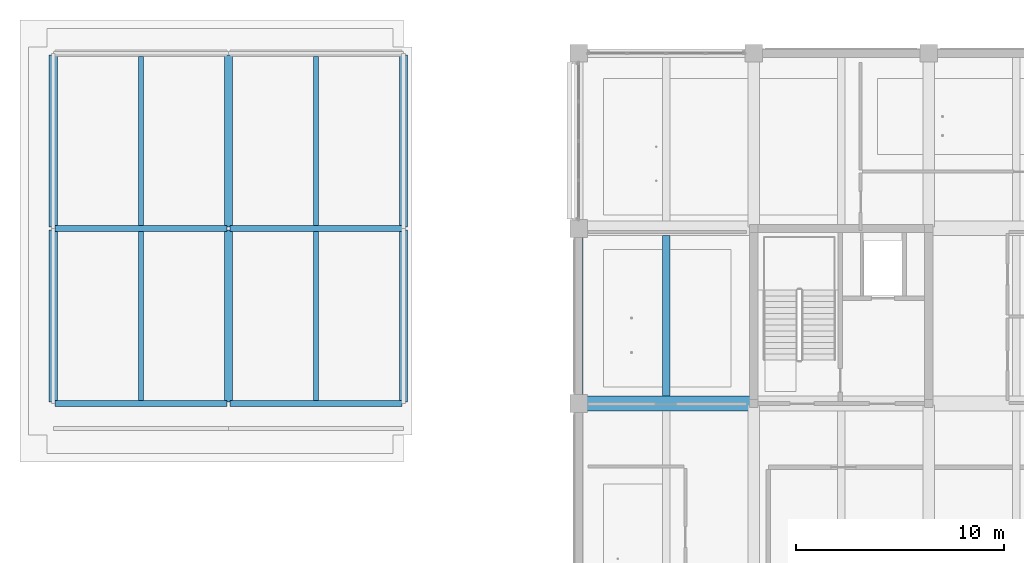
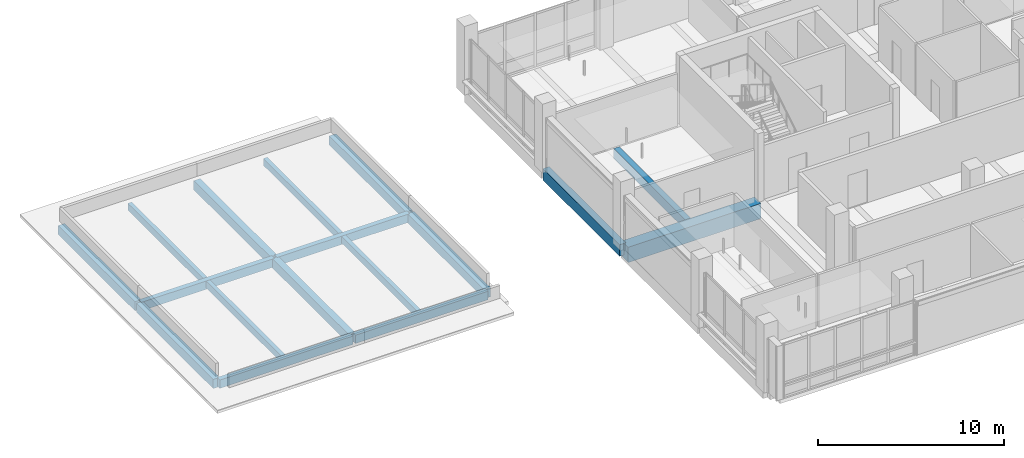
# One storey, part 3 of 39: 17 beams.
"""IFC4 building model written with IfcOpenShell, lengths in metres."""

from ifc_helpers import new_model, si_unit, direction, frame, origin, origin_2d, place, context, subcontext, project, spatial, rectangle, extrude, material, material_profile, profile_set, type_object, element, save


model = new_model("IFC4")

# Units and contexts
model_context = context("Model", 3, precision=1e-05, world=origin(), true_north=direction((0.0, 1.0)))
body_context = subcontext(model_context, "Body", "Model", "MODEL_VIEW")
ifc_project = project(units=[si_unit("LENGTHUNIT", "METRE"), si_unit("AREAUNIT", "SQUARE_METRE"), si_unit("VOLUMEUNIT", "CUBIC_METRE"), si_unit("PLANEANGLEUNIT", "RADIAN"), si_unit("MASSUNIT", "GRAM", prefix="KILO")], contexts=[model_context])

# Site, building, storey
site_placement = place(None, origin())
site = spatial("IfcSite", under=ifc_project, at=site_placement, CompositionType="ELEMENT")
building_placement = place(site_placement, origin())
building = spatial("IfcBuilding", under=site, at=building_placement, Name="Telukmera Botanical Conservatory", CompositionType="ELEMENT")
storey_placement = place(building_placement, frame((0.0, 0.0, 19.5)))
storey = spatial("IfcBuildingStorey", under=building, at=storey_placement, Name="L04", CompositionType="ELEMENT", Elevation=19.5)

# Beams
ifc_material_1 = material(Name="Concrete C50/60", Category="concrete")
ifc_material_profile_1 = material_profile(ifc_material_1, rectangle(XDim=0.699951171875, YDim=1.0, at=origin_2d()), Name="RC 700x1000")
ifc_profile_set_1 = profile_set([ifc_material_profile_1], Name="Concrete C50/60")
beam_type_1 = type_object("IfcBeamType", Name="Beam_B1", PredefinedType="BEAM", material=ifc_profile_set_1)
beam_1_placement = place(storey_placement, frame((50.47998046875, 26.0, -0.5), z_axis=(1.0, 0.0, 0.0), x_axis=(0.0, 1.0, 0.0)))
element("IfcBeam", 1, at=beam_1_placement, inside=storey, type_object=beam_type_1, Name="Tower Grid Beam L04", PredefinedType="BEAM", context=body_context, shape_type="SweptSolid", body=[
    extrude(rectangle(XDim=0.699951171875, YDim=1.0, at=origin_2d()), origin(), (0.0, 0.0, 1.0), 8.239990234375),
])
ifc_material_2 = material(Name="Concrete C40/50", Category="concrete")
ifc_material_profile_2 = material_profile(ifc_material_2, rectangle(XDim=0.300048828125, YDim=0.550048828125, at=origin_2d()), Name="RC 300x550")
ifc_profile_set_2 = profile_set([ifc_material_profile_2], Name="Concrete C40/50")
beam_type_2 = type_object("IfcBeamType", Name="Beam_B10", PredefinedType="BEAM", material=ifc_profile_set_2)
for number, where, z_axis, x_axis, name in (
    (2, (25.280029296875, 26.0, -0.27490234375), (1.0, 0.0, 0.0), (0.0, 1.0, 0.0), "Visitor Wing Grid Beam L04"),
    (3, (33.679931640625, 26.0, -0.27490234375), (1.0, 0.0, 0.0), (0.0, 1.0, 0.0), "Visitor Wing Grid Beam L04"),
    (4, (25.280029296875, 34.39990234375, -0.27490234375), (1.0, 0.0, 0.0), (0.0, 1.0, 0.0), "Visitor Wing Grid Beam L04"),
    (5, (33.679931640625, 34.39990234375, -0.27490234375), (1.0, 0.0, 0.0), (0.0, 1.0, 0.0), "Visitor Wing Grid Beam L04"),
):
    element("IfcBeam", number, at=place(storey_placement, frame(where, z_axis=z_axis, x_axis=x_axis)), inside=storey, type_object=beam_type_2, Name=name, PredefinedType="BEAM", context=body_context, shape_type="SweptSolid", body=[
        extrude(rectangle(XDim=0.300048828125, YDim=0.550048828125, at=origin_2d()), origin(), (0.0, 0.0, 1.0), 8.239990234375),
    ])
ifc_material_profile_3 = material_profile(ifc_material_2, rectangle(XDim=0.39990234375, YDim=0.60009765625, at=origin_2d()), Name="RC 400x600")
ifc_profile_set_3 = profile_set([ifc_material_profile_3], Name="Concrete C40/50")
beam_type_3 = type_object("IfcBeamType", Name="Beam_B18", PredefinedType="BEAM", material=ifc_profile_set_3)
for number, where, z_axis, x_axis, name in (
    (6, (25.199951171875, 26.080078125, -0.300048828125), (0.0, 1.0, 0.0), (-1.0, 0.0, 0.0), "Visitor Wing Transverse Beam L04"),
    (7, (25.199951171875, 34.47998046875, -0.300048828125), (0.0, 1.0, 0.0), (-1.0, 0.0, 0.0), "Visitor Wing Transverse Beam L04"),
    (8, (33.60009765625, 26.080078125, -0.300048828125), (0.0, 1.0, 0.0), (-1.0, 0.0, 0.0), "Visitor Wing Transverse Beam L04"),
    (9, (33.60009765625, 34.47998046875, -0.300048828125), (0.0, 1.0, 0.0), (-1.0, 0.0, 0.0), "Visitor Wing Transverse Beam L04"),
    (10, (42.0, 26.080078125, -0.300048828125), (0.0, 1.0, 0.0), (-1.0, 0.0, 0.0), "Visitor Wing Transverse Beam L04"),
    (11, (42.0, 34.47998046875, -0.300048828125), (0.0, 1.0, 0.0), (-1.0, 0.0, 0.0), "Visitor Wing Transverse Beam L04"),
):
    element("IfcBeam", number, at=place(storey_placement, frame(where, z_axis=z_axis, x_axis=x_axis)), inside=storey, type_object=beam_type_3, Name=name, PredefinedType="BEAM", context=body_context, shape_type="SweptSolid", body=[
        extrude(rectangle(XDim=0.39990234375, YDim=0.60009765625, at=origin_2d()), origin(), (0.0, 0.0, 1.0), 8.239990234375),
    ])
ifc_material_profile_4 = material_profile(ifc_material_2, rectangle(XDim=0.35009765625, YDim=0.64990234375, at=origin_2d()), Name="RC 350x650")
ifc_profile_set_4 = profile_set([ifc_material_profile_4], Name="Concrete C40/50")
beam_type_4 = type_object("IfcBeamType", Name="Beam_B20", PredefinedType="JOIST", material=ifc_profile_set_4)
beam_2_placement = place(storey_placement, frame((54.60009765625, 26.35009765625, -0.324951171875), z_axis=(0.0, 1.0, 0.0), x_axis=(-1.0, 0.0, 0.0)))
element("IfcBeam", 12, at=beam_2_placement, inside=storey, type_object=beam_type_4, Name="Tower Secondary Floor Joist L04", PredefinedType="JOIST", context=body_context, shape_type="SweptSolid", body=[
    extrude(rectangle(XDim=0.35009765625, YDim=0.64990234375, at=origin_2d()), origin(), (0.0, 0.0, 1.0), 7.699951171875),
])
ifc_material_profile_5 = material_profile(ifc_material_2, rectangle(XDim=0.25, YDim=0.449951171875, at=origin_2d()), Name="RC 250x450")
ifc_profile_set_5 = profile_set([ifc_material_profile_5], Name="Concrete C40/50")
beam_type_5 = type_object("IfcBeamType", Name="Beam_B27", PredefinedType="JOIST", material=ifc_profile_set_5)
beam_3_placement = place(storey_placement, frame((29.39990234375, 26.14990234375, -0.22509765625), z_axis=(0.0, 1.0, 0.0), x_axis=(-1.0, 0.0, 0.0)))
element("IfcBeam", 13, at=beam_3_placement, inside=storey, type_object=beam_type_5, Name="Visitor Wing Floor Joist L04", PredefinedType="JOIST", context=body_context, shape_type="SweptSolid", body=[
    extrude(rectangle(XDim=0.25, YDim=0.449951171875, at=origin_2d()), origin(), (0.0, 0.0, 1.0), 8.10009765625),
])
beam_4_placement = place(storey_placement, frame((29.39990234375, 34.550048828125, -0.22509765625), z_axis=(0.0, 1.0, 0.0), x_axis=(-1.0, 0.0, 0.0)))
element("IfcBeam", 14, at=beam_4_placement, inside=storey, type_object=beam_type_5, Name="Visitor Wing Floor Joist L04", PredefinedType="JOIST", context=body_context, shape_type="SweptSolid", body=[
    extrude(rectangle(XDim=0.25, YDim=0.449951171875, at=origin_2d()), origin(), (0.0, 0.0, 1.0), 8.099853515625),
])
beam_5_placement = place(storey_placement, frame((37.800048828125, 26.14990234375, -0.22509765625), z_axis=(0.0, 1.0, 0.0), x_axis=(-1.0, 0.0, 0.0)))
element("IfcBeam", 15, at=beam_5_placement, inside=storey, type_object=beam_type_5, Name="Visitor Wing Floor Joist L04", PredefinedType="JOIST", context=body_context, shape_type="SweptSolid", body=[
    extrude(rectangle(XDim=0.25, YDim=0.449951171875, at=origin_2d()), origin(), (0.0, 0.0, 1.0), 8.10009765625),
])
beam_6_placement = place(storey_placement, frame((37.800048828125, 34.550048828125, -0.22509765625), z_axis=(0.0, 1.0, 0.0), x_axis=(-1.0, 0.0, 0.0)))
element("IfcBeam", 16, at=beam_6_placement, inside=storey, type_object=beam_type_5, Name="Visitor Wing Floor Joist L04", PredefinedType="JOIST", context=body_context, shape_type="SweptSolid", body=[
    extrude(rectangle(XDim=0.25, YDim=0.449951171875, at=origin_2d()), origin(), (0.0, 0.0, 1.0), 8.099853515625),
])
ifc_material_3 = material(Name="Precast concrete C40/50", Category="concrete")
ifc_material_profile_6 = material_profile(ifc_material_3, rectangle(XDim=0.39990234375, YDim=0.75, at=origin_2d()), Name="PC 400x750")
ifc_profile_set_6 = profile_set([ifc_material_profile_6], Name="Precast concrete C40/50")
beam_type_6 = type_object("IfcBeamType", Name="Beam_SP1", PredefinedType="SPANDREL", material=ifc_profile_set_6)
beam_7_placement = place(storey_placement, frame((50.39990234375, 26.080078125, -0.375), z_axis=(0.0, 1.0, 0.0), x_axis=(-1.0, 0.0, 0.0)))
element("IfcBeam", 17, at=beam_7_placement, inside=storey, type_object=beam_type_6, Name="Tower Transverse Beam L04", PredefinedType="SPANDREL", context=body_context, shape_type="SweptSolid", body=[
    extrude(rectangle(XDim=0.39990234375, YDim=0.75, at=origin_2d()), origin(), (0.0, 0.0, 1.0), 8.239990234375),
])

save(model, "model.ifc")
